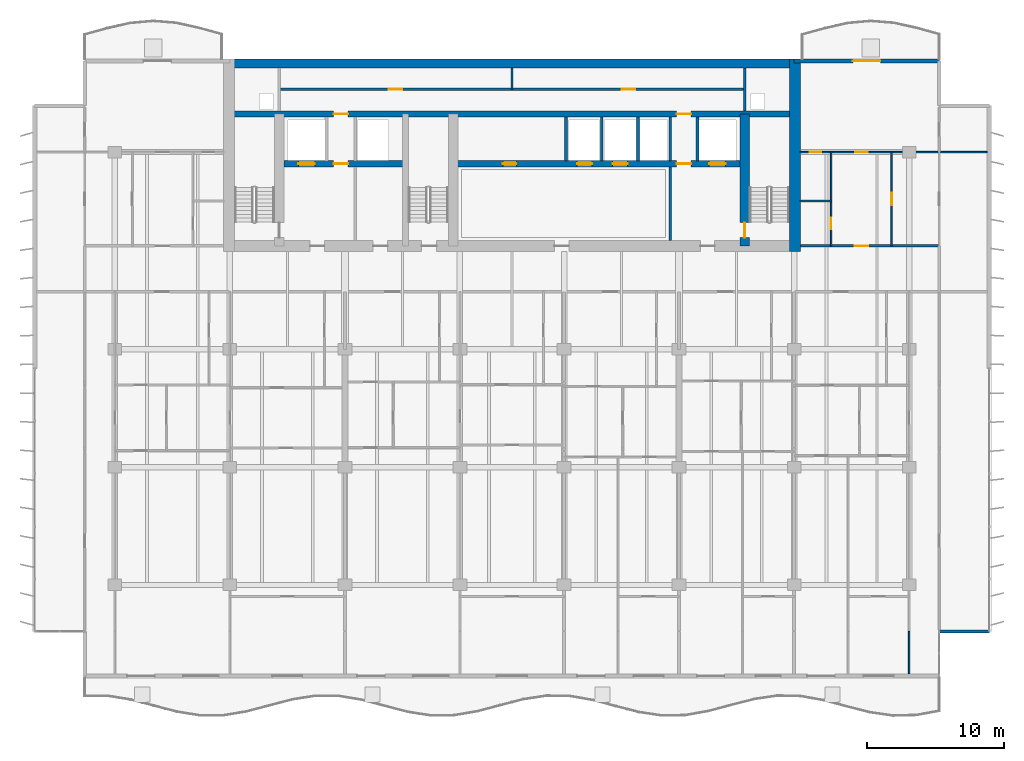
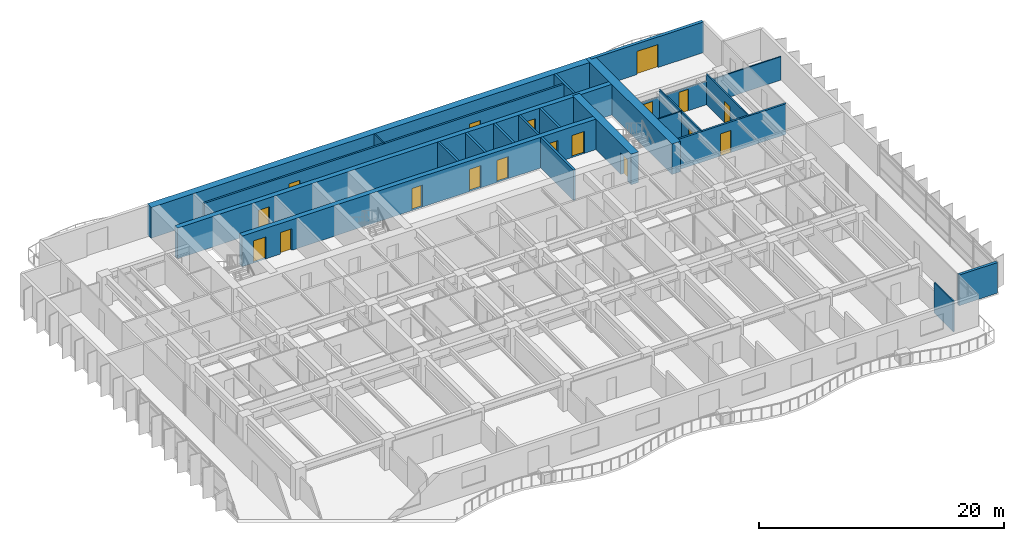
# One storey, part 13 of 19: 22 walls, 18 doors, 18 openings.
"""IFC4 building model written with IfcOpenShell, lengths in metres."""

from ifc_helpers import new_model, si_unit, direction, frame, frame_2d, origin, place, context, subcontext, project, spatial, rectangle, extrude, material, layer, layer_set, type_object, element, fill, save


model = new_model("IFC4")

# Units and contexts
model_context = context("Model", 3, precision=1e-05, world=origin(), true_north=direction((0.0, 1.0)))
body_context = subcontext(model_context, "Body", "Model", "MODEL_VIEW")
ifc_project = project(units=[si_unit("LENGTHUNIT", "METRE"), si_unit("AREAUNIT", "SQUARE_METRE"), si_unit("VOLUMEUNIT", "CUBIC_METRE"), si_unit("PLANEANGLEUNIT", "RADIAN"), si_unit("MASSUNIT", "GRAM", prefix="KILO")], contexts=[model_context])

# Site, building, storey
site_placement = place(None, origin())
site = spatial("IfcSite", under=ifc_project, at=site_placement, CompositionType="ELEMENT")
building_placement = place(site_placement, origin())
building = spatial("IfcBuilding", under=site, at=building_placement, Name="Caelmar Bay Residences", CompositionType="ELEMENT")
storey_placement = place(building_placement, frame((0.0, 0.0, 112.5)))
storey = spatial("IfcBuildingStorey", under=building, at=storey_placement, Name="L30", CompositionType="ELEMENT", Elevation=112.5)

# Wall, opening, door
ifc_material_1 = material(Name="Concrete f'c 55 MPa (8,000 psi)", Category="concrete")
ifc_layer_1 = layer(ifc_material_1, 0.699951171875)
ifc_layer_set_1 = layer_set([ifc_layer_1], Name="Concrete f'c 55 MPa (8,000 psi)")
wall_type_1 = type_object("IfcWallType", Name="SW-COR-700", PredefinedType="SHEAR", material=ifc_layer_set_1)
wall_1_placement = place(storey_placement, frame((55.89990234375, 36.949951171875, 0.0), z_axis=(0.0, 0.0, 1.0), x_axis=(0.0, 1.0, 0.0)))
wall_1 = element("IfcWall", 1, at=wall_1_placement, inside=storey, type_object=wall_type_1, Name="L30 Core Structural Web Wall ST2W", PredefinedType="SHEAR", context=body_context, shape_type="SweptSolid", body=[
    extrude(rectangle(XDim=9.625, YDim=0.699951171875, at=frame_2d((4.8125, 0.0))), origin(), (0.0, 0.0, 1.0), 3.050048828125),
])
opening_1_placement = place(wall_1_placement, frame((0.60009765625, 0.0, 0.0)))
opening_1 = element("IfcOpeningElement", 2, at=opening_1_placement, cuts=wall_1, Name="Opening D-L30-110", PredefinedType="OPENING", context=body_context, shape_type="SweptSolid", body=[
    extrude(rectangle(XDim=1.10009765625, YDim=2.14990234375, at=frame_2d((0.550048828125, 1.074951171875))), frame((0.0, 0.35986328125, 0.0), z_axis=(0.0, -1.0, 0.0), x_axis=(1.0, 0.0, 0.0)), (0.0, 0.0, 1.0), 0.719970703125),
])
ifc_material_2 = material(Name="Fire-rated steel and walnut architectural door assembly", Category="steel")
ifc_layer_2 = layer(ifc_material_2, 0.050048828125)
ifc_layer_set_2 = layer_set([ifc_layer_2], Name="Fire-rated steel and walnut architectural door assembly")
door_type_1 = type_object("IfcDoorType", Name="D-STAIR-1100", OperationType="NOTDEFINED", PredefinedType="DOOR", material=ifc_layer_set_2)
door_1_placement = place(opening_1_placement, origin())
door_1 = element("IfcDoor", 3, at=door_1_placement, inside=storey, type_object=door_type_1, Name="L30 Firefighting Lobby East Door", OperationType="SINGLE_SWING_RIGHT", OverallHeight=2.14990234375, OverallWidth=1.10009765625, PredefinedType="DOOR", context=body_context, shape_type="SweptSolid", body=[
    extrude(rectangle(XDim=1.10009765625, YDim=2.14990234375, at=frame_2d((0.550048828125, 1.074951171875))), frame((0.0, 0.02490234375, 0.0), z_axis=(0.0, -1.0, 0.0), x_axis=(1.0, 0.0, 0.0)), (0.0, 0.0, 1.0), 0.050048828125),
])
fill(opening_1, door_1)

# Walls
ifc_material_3 = material(Name="Concrete f'c 70 MPa (10,000 psi)", Category="concrete")
ifc_layer_3 = layer(ifc_material_3, 0.800048828125)
ifc_layer_set_3 = layer_set([ifc_layer_3], Name="Concrete f'c 70 MPa (10,000 psi)")
wall_type_2 = type_object("IfcWallType", Name="SW-COR-800", PredefinedType="SHEAR", material=ifc_layer_set_3)
wall_2_placement = place(storey_placement, frame((59.550048828125, 36.550048828125, 0.0), z_axis=(0.0, 0.0, 1.0), x_axis=(0.0, 1.0, 0.0)))
element("IfcWall", 4, at=wall_2_placement, inside=storey, type_object=wall_type_2, Name="L30 Rear Core East Shear Wall", PredefinedType="SHEAR", context=body_context, shape_type="SweptSolid", body=[
    extrude(rectangle(XDim=14.050048828125, YDim=0.800048828125, at=frame_2d((7.02490234375, 0.0))), origin(), (0.0, 0.0, 1.0), 3.050048828125),
])
ifc_layer_4 = layer(ifc_material_1, 0.64990234375)
ifc_layer_set_4 = layer_set([ifc_layer_4], Name="Concrete f'c 55 MPa (8,000 psi)")
wall_type_3 = type_object("IfcWallType", Name="SW-CORN-650", PredefinedType="SHEAR", material=ifc_layer_set_4)
wall_3_placement = place(storey_placement, frame((17.85009765625, 50.27490234375, 0.0), z_axis=(0.0, 0.0, 1.0), x_axis=(1.0, 0.0, 0.0)))
element("IfcWall", 5, at=wall_3_placement, inside=storey, type_object=wall_type_3, Name="L30 Rear Core North Shear Wall", PredefinedType="SHEAR", context=body_context, shape_type="SweptSolid", body=[
    extrude(rectangle(XDim=42.099853515625, YDim=0.64990234375, at=frame_2d((21.0498046875, 0.0))), origin(), (0.0, 0.0, 1.0), 3.050048828125),
])

# Wall, openings, doors
ifc_layer_5 = layer(ifc_material_3, 0.449951171875)
ifc_layer_set_5 = layer_set([ifc_layer_5], Name="Concrete f'c 70 MPa (10,000 psi)")
wall_type_4 = type_object("IfcWallType", Name="SW-WEB-450", PredefinedType="SHEAR", material=ifc_layer_set_5)
wall_4_placement = place(storey_placement, frame((22.25, 42.949951171875, 0.0), z_axis=(0.0, 0.0, 1.0), x_axis=(1.0, 0.0, 0.0)))
wall_4 = element("IfcWall", 6, at=wall_4_placement, inside=storey, type_object=wall_type_4, Name="L30 Core Structural Web Wall LFR", PredefinedType="SHEAR", context=body_context, shape_type="SweptSolid", body=[
    extrude(rectangle(XDim=33.300048828125, YDim=0.449951171875, at=frame_2d((16.64990234375, 0.0))), origin(), (0.0, 0.0, 1.0), 3.050048828125),
])
opening_2_placement = place(wall_4_placement, frame((1.050048828125, 0.0, 0.0)))
opening_2 = element("IfcOpeningElement", 7, at=opening_2_placement, cuts=wall_4, Name="Opening LD2", PredefinedType="OPENING", context=body_context, shape_type="SweptSolid", body=[
    extrude(rectangle(XDim=1.199951171875, YDim=2.199951171875, at=frame_2d((0.60009765625, 1.10009765625))), frame((0.0, 0.23486328125, 0.0), z_axis=(0.0, -1.0, 0.0), x_axis=(1.0, 0.0, 0.0)), (0.0, 0.0, 1.0), 0.469970703125),
])
opening_3_placement = place(wall_4_placement, frame((31.050048828125, 0.0, 0.0)))
opening_3 = element("IfcOpeningElement", 8, at=opening_3_placement, cuts=wall_4, Name="Opening LD2", PredefinedType="OPENING", context=body_context, shape_type="SweptSolid", body=[
    extrude(rectangle(XDim=1.199951171875, YDim=2.199951171875, at=frame_2d((0.60009765625, 1.10009765625))), frame((0.0, 0.23486328125, 0.0), z_axis=(0.0, -1.0, 0.0), x_axis=(1.0, 0.0, 0.0)), (0.0, 0.0, 1.0), 0.469970703125),
])
opening_4_placement = place(wall_4_placement, frame((21.39990234375, 0.0, 0.0)))
opening_4 = element("IfcOpeningElement", 9, at=opening_4_placement, cuts=wall_4, Name="Opening LD1", PredefinedType="OPENING", context=body_context, shape_type="SweptSolid", body=[
    extrude(rectangle(XDim=1.10009765625, YDim=2.199951171875, at=frame_2d((0.550048828125, 1.10009765625))), frame((0.0, 0.23486328125, 0.0), z_axis=(0.0, -1.0, 0.0), x_axis=(1.0, 0.0, 0.0)), (0.0, 0.0, 1.0), 0.469970703125),
])
opening_5_placement = place(wall_4_placement, frame((24.0, 0.0, 0.0)))
opening_5 = element("IfcOpeningElement", 10, at=opening_5_placement, cuts=wall_4, Name="Opening LD1", PredefinedType="OPENING", context=body_context, shape_type="SweptSolid", body=[
    extrude(rectangle(XDim=1.10009765625, YDim=2.199951171875, at=frame_2d((0.550048828125, 1.10009765625))), frame((0.0, 0.23486328125, 0.0), z_axis=(0.0, -1.0, 0.0), x_axis=(1.0, 0.0, 0.0)), (0.0, 0.0, 1.0), 0.469970703125),
])
opening_6_placement = place(wall_4_placement, frame((3.625, 0.0, 0.0)))
opening_6 = element("IfcOpeningElement", 11, at=opening_6_placement, cuts=wall_4, Name="Opening D-L30-108", PredefinedType="OPENING", context=body_context, shape_type="SweptSolid", body=[
    extrude(rectangle(XDim=1.050048828125, YDim=2.14990234375, at=frame_2d((0.52490234375, 1.074951171875))), frame((0.0, 0.23486328125, 0.0), z_axis=(0.0, -1.0, 0.0), x_axis=(1.0, 0.0, 0.0)), (0.0, 0.0, 1.0), 0.469970703125),
])
opening_7_placement = place(wall_4_placement, frame((28.675048828125, 0.0, 0.0)))
opening_7 = element("IfcOpeningElement", 12, at=opening_7_placement, cuts=wall_4, Name="Opening D-L30-111", PredefinedType="OPENING", context=body_context, shape_type="SweptSolid", body=[
    extrude(rectangle(XDim=1.050048828125, YDim=2.14990234375, at=frame_2d((0.52490234375, 1.074951171875))), frame((0.0, 0.23486328125, 0.0), z_axis=(0.0, -1.0, 0.0), x_axis=(1.0, 0.0, 0.0)), (0.0, 0.0, 1.0), 0.469970703125),
])
opening_8_placement = place(wall_4_placement, frame((15.97509765625, 0.0, 0.0)))
opening_8 = element("IfcOpeningElement", 13, at=opening_8_placement, cuts=wall_4, Name="Opening D-L30-114", PredefinedType="OPENING", context=body_context, shape_type="SweptSolid", body=[
    extrude(rectangle(XDim=1.0, YDim=2.199951171875, at=frame_2d((0.5, 1.10009765625))), frame((0.0, 0.23486328125, 0.0), z_axis=(0.0, -1.0, 0.0), x_axis=(1.0, 0.0, 0.0)), (0.0, 0.0, 1.0), 0.469970703125),
])
ifc_layer_6 = layer(ifc_material_2, 0.050048828125)
ifc_layer_set_6 = layer_set([ifc_layer_6], Name="Fire-rated steel and walnut architectural door assembly")
door_type_2 = type_object("IfcDoorType", Name="D-FSAE-1050", OperationType="NOTDEFINED", PredefinedType="DOOR", material=ifc_layer_set_6)
door_2_placement = place(opening_6_placement, origin())
door_2 = element("IfcDoor", 14, at=door_2_placement, inside=storey, type_object=door_type_2, Name="L30 Firefighting Lobby West Door", OperationType="SINGLE_SWING_RIGHT", OverallHeight=2.14990234375, OverallWidth=1.050048828125, PredefinedType="DOOR", context=body_context, shape_type="SweptSolid", body=[
    extrude(rectangle(XDim=1.050048828125, YDim=2.14990234375, at=frame_2d((0.52490234375, 1.074951171875))), frame((0.0, 0.02490234375, 0.0), z_axis=(0.0, -1.0, 0.0), x_axis=(1.0, 0.0, 0.0)), (0.0, 0.0, 1.0), 0.050048828125),
])
fill(opening_6, door_2)
door_3_placement = place(opening_7_placement, origin())
door_3 = element("IfcDoor", 15, at=door_3_placement, inside=storey, type_object=door_type_2, Name="L30 Firefighting Lobby East Door", OperationType="SINGLE_SWING_LEFT", OverallHeight=2.14990234375, OverallWidth=1.050048828125, PredefinedType="DOOR", context=body_context, shape_type="SweptSolid", body=[
    extrude(rectangle(XDim=1.050048828125, YDim=2.14990234375, at=frame_2d((0.52490234375, 1.074951171875))), frame((0.0, 0.02490234375, 0.0), z_axis=(0.0, -1.0, 0.0), x_axis=(1.0, 0.0, 0.0)), (0.0, 0.0, 1.0), 0.050048828125),
])
fill(opening_7, door_3)
ifc_material_4 = material(Name="Brushed bronze stainless-steel fire-rated lift landing doors", Category="steel")
ifc_layer_7 = layer(ifc_material_4, 0.050048828125)
ifc_layer_set_7 = layer_set([ifc_layer_7], Name="Brushed bronze stainless-steel fire-rated lift landing doors")
door_type_3 = type_object("IfcDoorType", Name="D-LND-1100", OperationType="DOUBLE_DOOR_SLIDING", PredefinedType="DOOR", material=ifc_layer_set_7)
door_4_placement = place(opening_4_placement, origin())
door_4 = element("IfcDoor", 16, at=door_4_placement, inside=storey, type_object=door_type_3, Name="L30 LP4 Sliding Landing Door", OperationType="DOUBLE_DOOR_SLIDING", OverallHeight=2.199951171875, OverallWidth=1.10009765625, PredefinedType="DOOR", context=body_context, shape_type="SweptSolid", body=[
    extrude(rectangle(XDim=1.10009765625, YDim=2.199951171875, at=frame_2d((0.550048828125, 1.10009765625))), frame((0.0, 0.02490234375, 0.0), z_axis=(0.0, -1.0, 0.0), x_axis=(1.0, 0.0, 0.0)), (0.0, 0.0, 1.0), 0.050048828125),
])
fill(opening_4, door_4)
door_5_placement = place(opening_5_placement, origin())
door_5 = element("IfcDoor", 17, at=door_5_placement, inside=storey, type_object=door_type_3, Name="L30 LP5 Sliding Landing Door", OperationType="DOUBLE_DOOR_SLIDING", OverallHeight=2.199951171875, OverallWidth=1.10009765625, PredefinedType="DOOR", context=body_context, shape_type="SweptSolid", body=[
    extrude(rectangle(XDim=1.10009765625, YDim=2.199951171875, at=frame_2d((0.550048828125, 1.10009765625))), frame((0.0, 0.02490234375, 0.0), z_axis=(0.0, -1.0, 0.0), x_axis=(1.0, 0.0, 0.0)), (0.0, 0.0, 1.0), 0.050048828125),
])
fill(opening_5, door_5)
ifc_material_5 = material(Name="Brushed stainless-steel FSAE sliding landing door", Category="steel")
ifc_layer_8 = layer(ifc_material_5, 0.050048828125)
ifc_layer_set_8 = layer_set([ifc_layer_8], Name="Brushed stainless-steel FSAE sliding landing door")
door_type_4 = type_object("IfcDoorType", Name="D-LND-1200", OperationType="DOUBLE_DOOR_SLIDING", PredefinedType="DOOR", material=ifc_layer_set_8)
door_6_placement = place(opening_2_placement, origin())
door_6 = element("IfcDoor", 18, at=door_6_placement, inside=storey, type_object=door_type_4, Name="L30 LF1 Sliding Landing Door", OperationType="DOUBLE_DOOR_SLIDING", OverallHeight=2.199951171875, OverallWidth=1.199951171875, PredefinedType="DOOR", context=body_context, shape_type="SweptSolid", body=[
    extrude(rectangle(XDim=1.199951171875, YDim=2.199951171875, at=frame_2d((0.60009765625, 1.10009765625))), frame((0.0, 0.02490234375, 0.0), z_axis=(0.0, -1.0, 0.0), x_axis=(1.0, 0.0, 0.0)), (0.0, 0.0, 1.0), 0.050048828125),
])
fill(opening_2, door_6)
door_7_placement = place(opening_3_placement, origin())
door_7 = element("IfcDoor", 19, at=door_7_placement, inside=storey, type_object=door_type_4, Name="L30 LF2 Sliding Landing Door", OperationType="DOUBLE_DOOR_SLIDING", OverallHeight=2.199951171875, OverallWidth=1.199951171875, PredefinedType="DOOR", context=body_context, shape_type="SweptSolid", body=[
    extrude(rectangle(XDim=1.199951171875, YDim=2.199951171875, at=frame_2d((0.60009765625, 1.10009765625))), frame((0.0, 0.02490234375, 0.0), z_axis=(0.0, -1.0, 0.0), x_axis=(1.0, 0.0, 0.0)), (0.0, 0.0, 1.0), 0.050048828125),
])
fill(opening_3, door_7)
ifc_layer_9 = layer(ifc_material_2, 0.050048828125)
ifc_layer_set_9 = layer_set([ifc_layer_9], Name="Fire-rated steel and walnut architectural door assembly")
door_type_5 = type_object("IfcDoorType", Name="D-UNIT-1000", OperationType="NOTDEFINED", PredefinedType="DOOR", material=ifc_layer_set_9)
door_8_placement = place(opening_8_placement, origin())
door_8 = element("IfcDoor", 20, at=door_8_placement, inside=storey, type_object=door_type_5, Name="L30 Quiet Reading Study Door", OperationType="SINGLE_SWING_RIGHT", OverallHeight=2.199951171875, OverallWidth=1.0, PredefinedType="DOOR", context=body_context, shape_type="SweptSolid", body=[
    extrude(rectangle(XDim=1.0, YDim=2.199951171875, at=frame_2d((0.5, 1.10009765625))), frame((0.0, 0.02490234375, 0.0), z_axis=(0.0, -1.0, 0.0), x_axis=(1.0, 0.0, 0.0)), (0.0, 0.0, 1.0), 0.050048828125),
])
fill(opening_8, door_8)

wall_5_placement = place(storey_placement, frame((18.25, 46.574951171875, 0.0), z_axis=(0.0, 0.0, 1.0), x_axis=(1.0, 0.0, 0.0)))
wall_5 = element("IfcWall", 21, at=wall_5_placement, inside=storey, type_object=wall_type_4, Name="L30 Core Structural Web Wall SRVS", PredefinedType="SHEAR", context=body_context, shape_type="SweptSolid", body=[
    extrude(rectangle(XDim=41.300048828125, YDim=0.449951171875, at=frame_2d((20.64990234375, 0.0))), origin(), (0.0, 0.0, 1.0), 3.050048828125),
])
opening_9_placement = place(wall_5_placement, frame((7.625, 0.0, 0.0)))
opening_9 = element("IfcOpeningElement", 22, at=opening_9_placement, cuts=wall_5, Name="Opening D-L30-115", PredefinedType="OPENING", context=body_context, shape_type="SweptSolid", body=[
    extrude(rectangle(XDim=1.050048828125, YDim=2.14990234375, at=frame_2d((0.52490234375, 1.074951171875))), frame((0.0, 0.23486328125, 0.0), z_axis=(0.0, -1.0, 0.0), x_axis=(1.0, 0.0, 0.0)), (0.0, 0.0, 1.0), 0.469970703125),
])
opening_10_placement = place(wall_5_placement, frame((32.675048828125, 0.0, 0.0)))
opening_10 = element("IfcOpeningElement", 23, at=opening_10_placement, cuts=wall_5, Name="Opening D-L30-116", PredefinedType="OPENING", context=body_context, shape_type="SweptSolid", body=[
    extrude(rectangle(XDim=1.050048828125, YDim=2.14990234375, at=frame_2d((0.52490234375, 1.074951171875))), frame((0.0, 0.23486328125, 0.0), z_axis=(0.0, -1.0, 0.0), x_axis=(1.0, 0.0, 0.0)), (0.0, 0.0, 1.0), 0.469970703125),
])
door_9_placement = place(opening_9_placement, origin())
door_9 = element("IfcDoor", 24, at=door_9_placement, inside=storey, type_object=door_type_2, Name="L30 Core Service Corridor Door", OperationType="SINGLE_SWING_LEFT", OverallHeight=2.14990234375, OverallWidth=1.050048828125, PredefinedType="DOOR", context=body_context, shape_type="SweptSolid", body=[
    extrude(rectangle(XDim=1.050048828125, YDim=2.14990234375, at=frame_2d((0.52490234375, 1.074951171875))), frame((0.0, 0.02490234375, 0.0), z_axis=(0.0, -1.0, 0.0), x_axis=(1.0, 0.0, 0.0)), (0.0, 0.0, 1.0), 0.050048828125),
])
fill(opening_9, door_9)
door_10_placement = place(opening_10_placement, origin())
door_10 = element("IfcDoor", 25, at=door_10_placement, inside=storey, type_object=door_type_2, Name="L30 Core Service Corridor Door", OperationType="SINGLE_SWING_RIGHT", OverallHeight=2.14990234375, OverallWidth=1.050048828125, PredefinedType="DOOR", context=body_context, shape_type="SweptSolid", body=[
    extrude(rectangle(XDim=1.050048828125, YDim=2.14990234375, at=frame_2d((0.52490234375, 1.074951171875))), frame((0.0, 0.02490234375, 0.0), z_axis=(0.0, -1.0, 0.0), x_axis=(1.0, 0.0, 0.0)), (0.0, 0.0, 1.0), 0.050048828125),
])
fill(opening_10, door_10)

# Wall, opening, door
ifc_material_6 = material(Name="Double-stud acoustic fire-rated gypsum partition 180 mm")
ifc_layer_10 = layer(ifc_material_6, 0.179931640625)
ifc_layer_set_10 = layer_set([ifc_layer_10], Name="Double-stud acoustic fire-rated gypsum partition 180 mm")
wall_type_5 = type_object("IfcWallType", Name="W-COR-200", PredefinedType="PARTITIONING", material=ifc_layer_set_10)
wall_6_placement = place(storey_placement, frame((59.955078125, 36.949951171875, 0.0), z_axis=(0.0, 0.0, 1.0), x_axis=(1.0, 0.0, 0.0)))
wall_6 = element("IfcWall", 26, at=wall_6_placement, inside=storey, type_object=wall_type_5, Name="L30 Partition Wall H145", PredefinedType="PARTITIONING", context=body_context, shape_type="SweptSolid", body=[
    extrude(rectangle(XDim=10.14501953125, YDim=0.179931640625, at=frame_2d((5.072509765625, 0.0))), origin(), (0.0, 0.0, 1.0), 3.050048828125),
])
opening_11_placement = place(wall_6_placement, frame((3.95703125, 0.0, 0.0)))
opening_11 = element("IfcOpeningElement", 27, at=opening_11_placement, cuts=wall_6, Name="Opening D-L30-172", PredefinedType="OPENING", context=body_context, shape_type="SweptSolid", body=[
    extrude(rectangle(XDim=1.0, YDim=2.199951171875, at=frame_2d((0.5, 1.10009765625))), frame((0.0, 0.099853515625, 0.0), z_axis=(0.0, -1.0, 0.0), x_axis=(1.0, 0.0, 0.0)), (0.0, 0.0, 1.0), 0.199951171875),
])
door_11_placement = place(opening_11_placement, origin())
door_11 = element("IfcDoor", 28, at=door_11_placement, inside=storey, type_object=door_type_5, Name="L30 Residence EA Kitchen Door", OperationType="SINGLE_SWING_RIGHT", OverallHeight=2.199951171875, OverallWidth=1.0, PredefinedType="DOOR", context=body_context, shape_type="SweptSolid", body=[
    extrude(rectangle(XDim=1.0, YDim=2.199951171875, at=frame_2d((0.5, 1.10009765625))), frame((0.0, 0.02490234375, 0.0), z_axis=(0.0, -1.0, 0.0), x_axis=(1.0, 0.0, 0.0)), (0.0, 0.0, 1.0), 0.050048828125),
])
fill(opening_11, door_11)

# Wall, openings, doors
wall_7_placement = place(storey_placement, frame((21.89990234375, 48.39990234375, 0.0), z_axis=(0.0, 0.0, 1.0), x_axis=(1.0, 0.0, 0.0)))
wall_7 = element("IfcWall", 29, at=wall_7_placement, inside=storey, type_object=wall_type_5, Name="L30 Partition Wall H150", PredefinedType="PARTITIONING", context=body_context, shape_type="SweptSolid", body=[
    extrude(rectangle(XDim=34.0, YDim=0.179931640625, at=frame_2d((17.0, 0.0))), origin(), (0.0, 0.0, 1.0), 3.050048828125),
])
opening_12_placement = place(wall_7_placement, frame((8.0, 0.0, 0.0)))
opening_12 = element("IfcOpeningElement", 30, at=opening_12_placement, cuts=wall_7, Name="Opening D-L30-117", PredefinedType="OPENING", context=body_context, shape_type="SweptSolid", body=[
    extrude(rectangle(XDim=1.0, YDim=2.199951171875, at=frame_2d((0.5, 1.10009765625))), frame((0.0, 0.099853515625, 0.0), z_axis=(0.0, -1.0, 0.0), x_axis=(1.0, 0.0, 0.0)), (0.0, 0.0, 1.0), 0.199951171875),
])
opening_13_placement = place(wall_7_placement, frame((25.0, 0.0, 0.0)))
opening_13 = element("IfcOpeningElement", 31, at=opening_13_placement, cuts=wall_7, Name="Opening D-L30-118", PredefinedType="OPENING", context=body_context, shape_type="SweptSolid", body=[
    extrude(rectangle(XDim=1.0, YDim=2.199951171875, at=frame_2d((0.5, 1.10009765625))), frame((0.0, 0.099853515625, 0.0), z_axis=(0.0, -1.0, 0.0), x_axis=(1.0, 0.0, 0.0)), (0.0, 0.0, 1.0), 0.199951171875),
])
door_12_placement = place(opening_12_placement, origin())
door_12 = element("IfcDoor", 32, at=door_12_placement, inside=storey, type_object=door_type_5, Name="L30 Building Management Office Door", OperationType="SINGLE_SWING_LEFT", OverallHeight=2.199951171875, OverallWidth=1.0, PredefinedType="DOOR", context=body_context, shape_type="SweptSolid", body=[
    extrude(rectangle(XDim=1.0, YDim=2.199951171875, at=frame_2d((0.5, 1.10009765625))), frame((0.0, 0.02490234375, 0.0), z_axis=(0.0, -1.0, 0.0), x_axis=(1.0, 0.0, 0.0)), (0.0, 0.0, 1.0), 0.050048828125),
])
fill(opening_12, door_12)
door_13_placement = place(opening_13_placement, origin())
door_13 = element("IfcDoor", 33, at=door_13_placement, inside=storey, type_object=door_type_5, Name="L30 Concierge Operations Office Door", OperationType="SINGLE_SWING_RIGHT", OverallHeight=2.199951171875, OverallWidth=1.0, PredefinedType="DOOR", context=body_context, shape_type="SweptSolid", body=[
    extrude(rectangle(XDim=1.0, YDim=2.199951171875, at=frame_2d((0.5, 1.10009765625))), frame((0.0, 0.02490234375, 0.0), z_axis=(0.0, -1.0, 0.0), x_axis=(1.0, 0.0, 0.0)), (0.0, 0.0, 1.0), 0.050048828125),
])
fill(opening_13, door_13)

# Wall
ifc_material_7 = material(Name="Precast concrete f'c 40 MPa (6,000 psi)", Category="concrete")
ifc_layer_11 = layer(ifc_material_7, 0.25)
ifc_layer_set_11 = layer_set([ifc_layer_11], Name="Precast concrete f'c 40 MPa (6,000 psi)")
wall_type_6 = type_object("IfcWallType", Name="W-EXT-250", PredefinedType="ELEMENTEDWALL", material=ifc_layer_set_11)
wall_8_placement = place(storey_placement, frame((70.10009765625, 8.800048828125, 0.0), z_axis=(0.0, 0.0, 1.0), x_axis=(1.0, 0.0, 0.0)))
element("IfcWall", 34, at=wall_8_placement, inside=storey, type_object=wall_type_6, Name="L30 SE Notch Return Wall", PredefinedType="ELEMENTEDWALL", context=body_context, shape_type="SweptSolid", body=[
    extrude(rectangle(XDim=3.64990234375, YDim=0.25, at=frame_2d((1.824951171875, 0.0))), origin(), (0.0, 0.0, 1.0), 3.050048828125),
])

# Wall, opening, door
ifc_layer_12 = layer(ifc_material_7, 0.300048828125)
ifc_layer_set_12 = layer_set([ifc_layer_12], Name="Precast concrete f'c 40 MPa (6,000 psi)")
wall_type_7 = type_object("IfcWallType", Name="W-EXT-300", PredefinedType="STANDARD", material=ifc_layer_set_12)
wall_9_placement = place(storey_placement, frame((59.5, 50.449951171875, 0.0), z_axis=(0.0, 0.0, 1.0), x_axis=(1.0, 0.0, 0.0)))
wall_9 = element("IfcWall", 35, at=wall_9_placement, inside=storey, type_object=wall_type_7, Name="L30 North-East Wing Exterior Wall", PredefinedType="STANDARD", context=body_context, shape_type="SweptSolid", body=[
    extrude(rectangle(XDim=10.60009765625, YDim=0.300048828125, at=frame_2d((5.300048828125, 0.0))), origin(), (0.0, 0.0, 1.0), 3.050048828125),
])
opening_14_placement = place(wall_9_placement, frame((4.300048828125, 0.0, 0.0)))
opening_14 = element("IfcOpeningElement", 36, at=opening_14_placement, cuts=wall_9, Name="Opening L30-BDNE", PredefinedType="OPENING", context=body_context, shape_type="SweptSolid", body=[
    extrude(rectangle(XDim=2.0, YDim=2.300048828125, at=frame_2d((1.0, 1.14990234375))), frame((0.0, 0.159912109375, 0.0), z_axis=(0.0, -1.0, 0.0), x_axis=(1.0, 0.0, 0.0)), (0.0, 0.0, 1.0), 0.320068359375),
])
ifc_material_8 = material(Name="Anodised bronze thermally broken sliding glass door", Category="glass")
ifc_layer_13 = layer(ifc_material_8, 0.050048828125)
ifc_layer_set_13 = layer_set([ifc_layer_13], Name="Anodised bronze thermally broken sliding glass door")
door_type_6 = type_object("IfcDoorType", Name="D-BAL-2000", OperationType="DOUBLE_DOOR_SLIDING", PredefinedType="DOOR", material=ifc_layer_set_13)
door_14_placement = place(opening_14_placement, origin())
door_14 = element("IfcDoor", 37, at=door_14_placement, inside=storey, type_object=door_type_6, Name="L30 North-East Balcony Door", OperationType="DOUBLE_DOOR_SLIDING", OverallHeight=2.300048828125, OverallWidth=2.0, PredefinedType="DOOR", context=body_context, shape_type="SweptSolid", body=[
    extrude(rectangle(XDim=2.0, YDim=2.300048828125, at=frame_2d((1.0, 1.14990234375))), frame((0.0, 0.02490234375, 0.0), z_axis=(0.0, -1.0, 0.0), x_axis=(1.0, 0.0, 0.0)), (0.0, 0.0, 1.0), 0.050048828125),
])
fill(opening_14, door_14)

# Walls
ifc_material_9 = material(Name="Fire-rated masonry and gypsum shaftliner assembly 200 mm", Category="masonry")
ifc_layer_14 = layer(ifc_material_9, 0.199951171875)
ifc_layer_set_14 = layer_set([ifc_layer_14], Name="Fire-rated masonry and gypsum shaftliner assembly 200 mm")
wall_type_8 = type_object("IfcWallType", Name="W-FSAE-200", PredefinedType="PARTITIONING", material=ifc_layer_set_14)
for number, where, z_axis, x_axis, name in (
    (38, (42.85009765625, 43.169921875, 0.0), (0.0, 0.0, 1.0), (0.0, 1.0, 0.0), "L30 Partition Wall V062"),
    (39, (45.449951171875, 43.169921875, 0.0), (0.0, 0.0, 1.0), (0.0, 1.0, 0.0), "L30 Partition Wall V063"),
    (40, (48.10009765625, 43.169921875, 0.0), (0.0, 0.0, 1.0), (0.0, 1.0, 0.0), "L30 Partition Wall V069"),
):
    element("IfcWall", number, at=place(storey_placement, frame(where, z_axis=z_axis, x_axis=x_axis)), inside=storey, type_object=wall_type_8, Name=name, PredefinedType="PARTITIONING", context=body_context, shape_type="SweptSolid", body=[
        extrude(rectangle(XDim=3.18505859375, YDim=0.199951171875, at=frame_2d((1.592529296875, 0.0))), origin(), (0.0, 0.0, 1.0), 3.050048828125),
    ])
wall_10_placement = place(storey_placement, frame((50.449951171875, 37.344970703125, 0.0), z_axis=(0.0, 0.0, 1.0), x_axis=(0.0, 1.0, 0.0)))
element("IfcWall", 41, at=wall_10_placement, inside=storey, type_object=wall_type_8, Name="L30 Partition Wall V073", PredefinedType="PARTITIONING", context=body_context, shape_type="SweptSolid", body=[
    extrude(rectangle(XDim=5.385009765625, YDim=0.199951171875, at=frame_2d((2.6923828125, 0.0))), origin(), (0.0, 0.0, 1.0), 3.050048828125),
])
for number, where, z_axis, x_axis, name in (
    (42, (50.449951171875, 43.169921875, 0.0), (0.0, 0.0, 1.0), (0.0, 1.0, 0.0), "L30 Partition Wall V074"),
    (43, (52.449951171875, 43.169921875, 0.0), (0.0, 0.0, 1.0), (0.0, 1.0, 0.0), "L30 Partition Wall V078"),
):
    element("IfcWall", number, at=place(storey_placement, frame(where, z_axis=z_axis, x_axis=x_axis)), inside=storey, type_object=wall_type_8, Name=name, PredefinedType="PARTITIONING", context=body_context, shape_type="SweptSolid", body=[
        extrude(rectangle(XDim=3.18505859375, YDim=0.199951171875, at=frame_2d((1.592529296875, 0.0))), origin(), (0.0, 0.0, 1.0), 3.050048828125),
    ])
wall_11_placement = place(storey_placement, frame((55.89990234375, 46.794921875, 0.0), z_axis=(0.0, 0.0, 1.0), x_axis=(0.0, 1.0, 0.0)))
element("IfcWall", 44, at=wall_11_placement, inside=storey, type_object=wall_type_8, Name="L30 Partition Wall V085", PredefinedType="PARTITIONING", context=body_context, shape_type="SweptSolid", body=[
    extrude(rectangle(XDim=3.16015625, YDim=0.199951171875, at=frame_2d((1.580078125, 0.0))), origin(), (0.0, 0.0, 1.0), 3.050048828125),
])
ifc_material_10 = material(Name="Acoustic metal-stud gypsum partition 120 mm")
ifc_layer_15 = layer(ifc_material_10, 0.1201171875)
ifc_layer_set_15 = layer_set([ifc_layer_15], Name="Acoustic metal-stud gypsum partition 120 mm")
wall_type_9 = type_object("IfcWallType", Name="W-PRT-120", PredefinedType="PARTITIONING", material=ifc_layer_set_15)
wall_12_placement = place(storey_placement, frame((38.89990234375, 48.39990234375, 0.0), z_axis=(0.0, 0.0, 1.0), x_axis=(0.0, 1.0, 0.0)))
element("IfcWall", 45, at=wall_12_placement, inside=storey, type_object=wall_type_9, Name="L30 Partition Wall V052", PredefinedType="PARTITIONING", context=body_context, shape_type="SweptSolid", body=[
    extrude(rectangle(XDim=1.55517578125, YDim=0.1201171875, at=frame_2d((0.777587890625, 0.0))), origin(), (0.0, 0.0, 1.0), 3.050048828125),
])

# Wall, opening, door
wall_13_placement = place(storey_placement, frame((62.199951171875, 36.949951171875, 0.0), z_axis=(0.0, 0.0, 1.0), x_axis=(0.0, 1.0, 0.0)))
wall_13 = element("IfcWall", 46, at=wall_13_placement, inside=storey, type_object=wall_type_9, Name="L30 Partition Wall V094", PredefinedType="PARTITIONING", context=body_context, shape_type="SweptSolid", body=[
    extrude(rectangle(XDim=6.85009765625, YDim=0.1201171875, at=frame_2d((3.425048828125, 0.0))), origin(), (0.0, 0.0, 1.0), 3.050048828125),
])
opening_15_placement = place(wall_13_placement, frame((1.218994140625, 0.0, 0.0)))
opening_15 = element("IfcOpeningElement", 47, at=opening_15_placement, cuts=wall_13, Name="Opening D-L30-174", PredefinedType="OPENING", context=body_context, shape_type="SweptSolid", body=[
    extrude(rectangle(XDim=0.85009765625, YDim=2.10009765625, at=frame_2d((0.425048828125, 1.050048828125))), frame((0.0, 0.070068359375, 0.0), z_axis=(0.0, -1.0, 0.0), x_axis=(1.0, 0.0, 0.0)), (0.0, 0.0, 1.0), 0.14013671875),
])
ifc_material_11 = material(Name="Solid walnut timber interior door leaf and frame", Category="wood")
ifc_layer_16 = layer(ifc_material_11, 0.050048828125)
ifc_layer_set_16 = layer_set([ifc_layer_16], Name="Solid walnut timber interior door leaf and frame")
door_type_7 = type_object("IfcDoorType", Name="D-BATH-850", OperationType="NOTDEFINED", PredefinedType="DOOR", material=ifc_layer_set_16)
door_15_placement = place(opening_15_placement, origin())
door_15 = element("IfcDoor", 48, at=door_15_placement, inside=storey, type_object=door_type_7, Name="L30 Residence EA Walk-In Closet Door", OperationType="SINGLE_SWING_RIGHT", OverallHeight=2.10009765625, OverallWidth=0.85009765625, PredefinedType="DOOR", context=body_context, shape_type="SweptSolid", body=[
    extrude(rectangle(XDim=0.85009765625, YDim=2.10009765625, at=frame_2d((0.425048828125, 1.050048828125))), frame((0.0, 0.02490234375, 0.0), z_axis=(0.0, -1.0, 0.0), x_axis=(1.0, 0.0, 0.0)), (0.0, 0.0, 1.0), 0.050048828125),
])
fill(opening_15, door_15)

wall_14_placement = place(storey_placement, frame((66.6240234375, 36.949951171875, 0.0), z_axis=(0.0, 0.0, 1.0), x_axis=(0.0, 1.0, 0.0)))
wall_14 = element("IfcWall", 49, at=wall_14_placement, inside=storey, type_object=wall_type_9, Name="L30 Partition Wall V103", PredefinedType="PARTITIONING", context=body_context, shape_type="SweptSolid", body=[
    extrude(rectangle(XDim=6.85009765625, YDim=0.1201171875, at=frame_2d((3.425048828125, 0.0))), origin(), (0.0, 0.0, 1.0), 3.050048828125),
])
opening_16_placement = place(wall_14_placement, frame((2.97509765625, 0.0, 0.0)))
opening_16 = element("IfcOpeningElement", 50, at=opening_16_placement, cuts=wall_14, Name="Opening D-L30-171", PredefinedType="OPENING", context=body_context, shape_type="SweptSolid", body=[
    extrude(rectangle(XDim=0.89990234375, YDim=2.14990234375, at=frame_2d((0.449951171875, 1.074951171875))), frame((0.0, 0.070068359375, 0.0), z_axis=(0.0, -1.0, 0.0), x_axis=(1.0, 0.0, 0.0)), (0.0, 0.0, 1.0), 0.14013671875),
])
ifc_layer_17 = layer(ifc_material_11, 0.050048828125)
ifc_layer_set_17 = layer_set([ifc_layer_17], Name="Solid walnut timber interior door leaf and frame")
door_type_8 = type_object("IfcDoorType", Name="D-ROOM-900", OperationType="NOTDEFINED", PredefinedType="DOOR", material=ifc_layer_set_17)
door_16_placement = place(opening_16_placement, origin())
door_16 = element("IfcDoor", 51, at=door_16_placement, inside=storey, type_object=door_type_8, Name="L30 Residence EA Dining Room Door", OperationType="SINGLE_SWING_LEFT", OverallHeight=2.14990234375, OverallWidth=0.89990234375, PredefinedType="DOOR", context=body_context, shape_type="SweptSolid", body=[
    extrude(rectangle(XDim=0.89990234375, YDim=2.14990234375, at=frame_2d((0.449951171875, 1.074951171875))), frame((0.0, 0.02490234375, 0.0), z_axis=(0.0, -1.0, 0.0), x_axis=(1.0, 0.0, 0.0)), (0.0, 0.0, 1.0), 0.050048828125),
])
fill(opening_16, door_16)

# Walls
wall_15_placement = place(storey_placement, frame((67.89990234375, 5.695068359375, 0.0), z_axis=(0.0, 0.0, 1.0), x_axis=(0.0, 1.0, 0.0)))
element("IfcWall", 52, at=wall_15_placement, inside=storey, type_object=wall_type_9, Name="L30 Partition Wall V104", PredefinedType="PARTITIONING", context=body_context, shape_type="SweptSolid", body=[
    extrude(rectangle(XDim=3.10498046875, YDim=0.1201171875, at=frame_2d((1.552490234375, 0.0))), origin(), (0.0, 0.0, 1.0), 3.050048828125),
])
wall_16_placement = place(storey_placement, frame((59.945068359375, 40.238037109375, 0.0), z_axis=(0.0, 0.0, 1.0), x_axis=(1.0, 0.0, 0.0)))
element("IfcWall", 53, at=wall_16_placement, inside=storey, type_object=wall_type_9, Name="L30 Partition Wall H147", PredefinedType="PARTITIONING", context=body_context, shape_type="SweptSolid", body=[
    extrude(rectangle(XDim=2.2548828125, YDim=0.1201171875, at=frame_2d((1.12744140625, 0.0))), origin(), (0.0, 0.0, 1.0), 3.050048828125),
])

# Wall, openings, doors
wall_17_placement = place(storey_placement, frame((59.945068359375, 43.800048828125, 0.0), z_axis=(0.0, 0.0, 1.0), x_axis=(1.0, 0.0, 0.0)))
wall_17 = element("IfcWall", 54, at=wall_17_placement, inside=storey, type_object=wall_type_9, Name="L30 Partition Wall H149", PredefinedType="PARTITIONING", context=body_context, shape_type="SweptSolid", body=[
    extrude(rectangle(XDim=13.659912109375, YDim=0.1201171875, at=frame_2d((6.830078125, 0.0))), origin(), (0.0, 0.0, 1.0), 2.339111328125),
])
opening_17_placement = place(wall_17_placement, frame((4.01708984375, 0.0, 0.0)))
opening_17 = element("IfcOpeningElement", 55, at=opening_17_placement, cuts=wall_17, Name="Opening D-L30-173", PredefinedType="OPENING", context=body_context, shape_type="SweptSolid", body=[
    extrude(rectangle(XDim=0.89990234375, YDim=2.14990234375, at=frame_2d((0.449951171875, 1.074951171875))), frame((0.0, 0.070068359375, 0.0), z_axis=(0.0, -1.0, 0.0), x_axis=(1.0, 0.0, 0.0)), (0.0, 0.0, 1.0), 0.14013671875),
])
opening_18_placement = place(wall_17_placement, frame((0.702392578125, 0.0, 0.0)))
opening_18 = element("IfcOpeningElement", 56, at=opening_18_placement, cuts=wall_17, Name="Opening D-L30-175", PredefinedType="OPENING", context=body_context, shape_type="SweptSolid", body=[
    extrude(rectangle(XDim=0.85009765625, YDim=2.10009765625, at=frame_2d((0.425048828125, 1.050048828125))), frame((0.0, 0.070068359375, 0.0), z_axis=(0.0, -1.0, 0.0), x_axis=(1.0, 0.0, 0.0)), (0.0, 0.0, 1.0), 0.14013671875),
])
door_17_placement = place(opening_18_placement, origin())
door_17 = element("IfcDoor", 57, at=door_17_placement, inside=storey, type_object=door_type_7, Name="L30 Residence EA Bathroom Door", OperationType="SINGLE_SWING_LEFT", OverallHeight=2.10009765625, OverallWidth=0.85009765625, PredefinedType="DOOR", context=body_context, shape_type="SweptSolid", body=[
    extrude(rectangle(XDim=0.85009765625, YDim=2.10009765625, at=frame_2d((0.425048828125, 1.050048828125))), frame((0.0, 0.02490234375, 0.0), z_axis=(0.0, -1.0, 0.0), x_axis=(1.0, 0.0, 0.0)), (0.0, 0.0, 1.0), 0.050048828125),
])
fill(opening_18, door_17)
door_18_placement = place(opening_17_placement, origin())
door_18 = element("IfcDoor", 58, at=door_18_placement, inside=storey, type_object=door_type_8, Name="L30 Residence EA Studio Living and Sleeping Room Door", OperationType="SINGLE_SWING_LEFT", OverallHeight=2.14990234375, OverallWidth=0.89990234375, PredefinedType="DOOR", context=body_context, shape_type="SweptSolid", body=[
    extrude(rectangle(XDim=0.89990234375, YDim=2.14990234375, at=frame_2d((0.449951171875, 1.074951171875))), frame((0.0, 0.02490234375, 0.0), z_axis=(0.0, -1.0, 0.0), x_axis=(1.0, 0.0, 0.0)), (0.0, 0.0, 1.0), 0.050048828125),
])
fill(opening_17, door_18)

save(model, "model.ifc")
